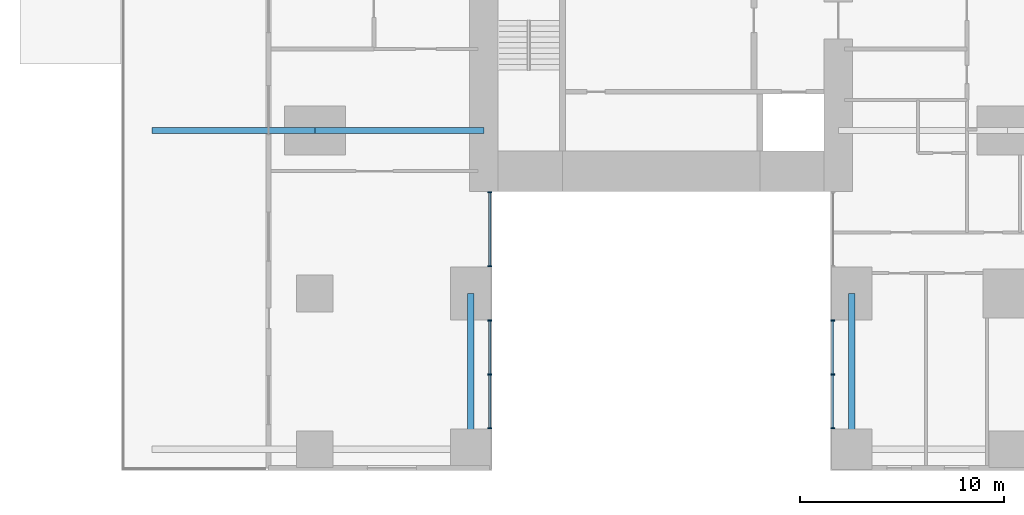
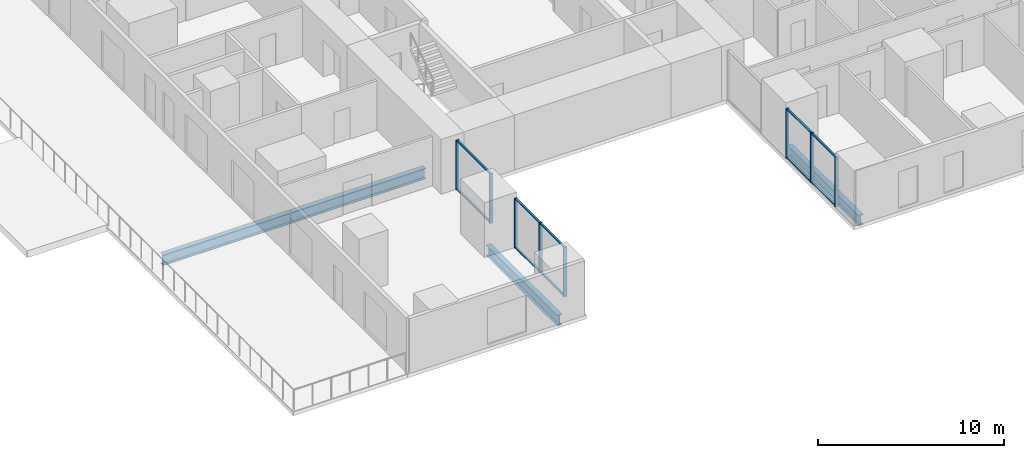
# One storey, part 2 of 15: 18 members, 4 beams, 3 elements without a shape of their own.
"""IFC4 building model written with IfcOpenShell, lengths in metres."""

import ifcopenshell
import ifcopenshell.guid

model = None  # the IFC model being written
_history = None  # IfcOwnerHistory: only IFC2X3 demands one
_inside = {}  # id of a spatial element -> (the spatial element, [elements in it])
_under = {}  # id of a project, library or spatial element -> (it, [spatial elements below it])
_declared = {}  # id of a project -> (the project, [libraries it declares])
_typed = {}  # id of a type object -> (the type object, [elements of that type])
_made_of = {}  # id of a material, layer set ... -> (it, [elements and type objects made of it])


def new_model(schema):
    """Start an empty IFC model of exactly this schema.

    Asked for "IFC4X3", IfcOpenShell would pick the latest addendum, in which some entities
    have other attributes; the version numbers below select the first issue.
    IFC2X3 requires an IfcOwnerHistory on every rooted entity: one is made here for all.
    """
    global model, _history
    if schema == "IFC4X3":
        model = ifcopenshell.file(schema_version=(4, 3, 0, 0))
    else:
        model = ifcopenshell.file(schema=schema)
    _inside.clear()
    _under.clear()
    _declared.clear()
    _typed.clear()
    _made_of.clear()
    _history = None
    if model.schema == "IFC2X3":
        org = make("IfcOrganization", Name="unknown")
        user = make(
            "IfcPersonAndOrganization",
            ThePerson=make("IfcPerson", FamilyName="unknown"),
            TheOrganization=org,
        )
        app = make(
            "IfcApplication",
            ApplicationDeveloper=org,
            Version="unknown",
            ApplicationFullName="unknown",
            ApplicationIdentifier="unknown",
        )
        _history = make(
            "IfcOwnerHistory",
            OwningUser=user,
            OwningApplication=app,
            ChangeAction="ADDED",
            CreationDate=0,
        )
    return model


def make(cls, **values):
    """One entity of the class cls with the attributes given. An attribute that is None is left unset."""
    return model.create_entity(
        cls, **{name: value for name, value in values.items() if value is not None}
    )


def rooted(cls, **values):
    """An entity with a GlobalId (a new one), such as an element, a storey or a relation."""
    return make(cls, GlobalId=ifcopenshell.guid.new(), OwnerHistory=_history, **values)


def si_unit(unit_type, name, prefix=None):
    """IfcSIUnit, for example si_unit("LENGTHUNIT", "METRE", prefix="MILLI")."""
    return make("IfcSIUnit", UnitType=unit_type, Prefix=prefix, Name=name)


def assignment(units):
    """IfcUnitAssignment: the units of a project."""
    return None if units is None else make("IfcUnitAssignment", Units=units)


def point(xyz):
    """IfcCartesianPoint."""
    return None if xyz is None else make("IfcCartesianPoint", Coordinates=xyz)


def direction(xyz):
    """IfcDirection."""
    return None if xyz is None else make("IfcDirection", DirectionRatios=xyz)


def frame(location, z_axis=None, x_axis=None):
    """IfcAxis2Placement3D, a coordinate frame: its origin and axes. An axis left out is left unset."""
    return make(
        "IfcAxis2Placement3D",
        Location=point(location),
        Axis=direction(z_axis),
        RefDirection=direction(x_axis),
    )


def frame_2d(location, x_axis=None):
    """IfcAxis2Placement2D, a coordinate frame in the plane: its origin and x axis."""
    return make(
        "IfcAxis2Placement2D", Location=point(location), RefDirection=direction(x_axis)
    )


def origin():
    """The frame at (0, 0, 0) with its axes left unset."""
    return frame((0.0, 0.0, 0.0))


def origin_2d():
    """The frame at (0, 0) in the plane with its x axis left unset."""
    return frame_2d((0.0, 0.0))


def place(relative_to, where):
    """IfcLocalPlacement: puts the frame where relative to a parent placement (None: the world)."""
    return make(
        "IfcLocalPlacement", PlacementRelTo=relative_to, RelativePlacement=where
    )


def context(
    kind, dimensions, precision=None, world=None, true_north=None, identifier=None
):
    """IfcGeometricRepresentationContext, for example the 3D "Model" context."""
    return make(
        "IfcGeometricRepresentationContext",
        ContextIdentifier=identifier,
        ContextType=kind,
        CoordinateSpaceDimension=dimensions,
        Precision=precision,
        WorldCoordinateSystem=world,
        TrueNorth=true_north,
    )


def subcontext(parent, identifier, kind, view, scale=None):
    """IfcGeometricRepresentationSubContext, for example "Body" below "Model"."""
    return make(
        "IfcGeometricRepresentationSubContext",
        ContextIdentifier=identifier,
        ContextType=kind,
        ParentContext=parent,
        TargetScale=scale,
        TargetView=view,
    )


def project(units=None, contexts=None):
    """IfcProject with its units and contexts."""
    return rooted(
        "IfcProject",
        Name="project",
        RepresentationContexts=contexts,
        UnitsInContext=assignment(units),
    )


def spatial(cls, under=None, at=None, **own):
    """A site, building, storey or space (cls), placed at a placement, below another one or the project."""
    s = rooted(cls, ObjectPlacement=at, **own)
    if under is not None:
        _under.setdefault(under.id(), (under, []))[1].append(s)
    return s


def profile(cls, at=None, kind="AREA", **sizes):
    """A parametric profile (cls). Its sizes go by their IFC names, for example OverallWidth=200.0."""
    return make(cls, ProfileType=kind, Position=at, **sizes)


def rectangle(**sizes):
    """IfcRectangleProfileDef."""
    return profile("IfcRectangleProfileDef", **sizes)


def i_section(**sizes):
    """IfcIShapeProfileDef."""
    return profile("IfcIShapeProfileDef", **sizes)


def extrude(swept, where, along, depth):
    """IfcExtrudedAreaSolid: the profile swept, set in the frame where, extruded along a direction by depth."""
    return make(
        "IfcExtrudedAreaSolid",
        SweptArea=swept,
        Position=where,
        ExtrudedDirection=direction(along),
        Depth=depth,
    )


def shape(context_of_items, identifier, shape_type, items):
    """IfcShapeRepresentation: the items that make up one representation, for example the "Body"."""
    return make(
        "IfcShapeRepresentation",
        ContextOfItems=context_of_items,
        RepresentationIdentifier=identifier,
        RepresentationType=shape_type,
        Items=items,
    )


def material(Name=None, Category=None):
    """IfcMaterial."""
    return make("IfcMaterial", Name=Name, Category=Category)


def layer(
    of_material, thickness, ventilated=None, Name=None, Category=None, Priority=None
):
    """IfcMaterialLayer: one layer of a wall or slab, of a material (None: an air gap)."""
    return make(
        "IfcMaterialLayer",
        Material=of_material,
        LayerThickness=thickness,
        IsVentilated=ventilated,
        Name=Name,
        Category=Category,
        Priority=Priority,
    )


def layer_set(layers, Name=None):
    """IfcMaterialLayerSet."""
    return make("IfcMaterialLayerSet", MaterialLayers=layers, LayerSetName=Name)


def material_profile(
    of_material, cross_section, Name=None, Category=None, Priority=None
):
    """IfcMaterialProfile: a cross section and its material."""
    return make(
        "IfcMaterialProfile",
        Name=Name,
        Material=of_material,
        Profile=cross_section,
        Priority=Priority,
        Category=Category,
    )


def profile_set(profiles, Name=None, composite=None):
    """IfcMaterialProfileSet."""
    return make(
        "IfcMaterialProfileSet",
        Name=Name,
        MaterialProfiles=profiles,
        CompositeProfile=composite,
    )


def made_of(thing, what):
    """Note that an element or type object is made of a material, layer set ...; save() writes the relation."""
    if what is not None:
        _made_of.setdefault(what.id(), (what, []))[1].append(thing)
    return thing


def type_object(cls, material=None, **own):
    """A type object (cls), such as IfcWallType, which elements share."""
    return made_of(rooted(cls, **own), material)


def element(
    cls,
    number,
    at=None,
    inside=None,
    cuts=None,
    type_object=None,
    material=None,
    context=None,
    identifier="Body",
    shape_type=None,
    held_by="IfcProductDefinitionShape",
    body=None,
    shapes=None,
    **own,
):
    """One element of the class cls, such as IfcWall. Its Tag is "e" and its number.

    at: its placement. inside: the storey or other place that contains it. cuts: it is an
    opening in that element (IfcRelVoidsElement). A single representation is given by context,
    identifier, shape_type and body (its items); several are given by shapes. held_by: the class
    of the entity that holds the representations. save() writes the other relations.
    """
    e = rooted(cls, Tag="e%d" % number, ObjectPlacement=at, **own)
    if body is not None:
        shapes = [shape(context, identifier, shape_type, body)]
    if shapes is not None:
        e.Representation = make(held_by, Representations=shapes)
    if inside is not None:
        _inside.setdefault(inside.id(), (inside, []))[1].append(e)
    if cuts is not None:
        rooted(
            "IfcRelVoidsElement", RelatingBuildingElement=cuts, RelatedOpeningElement=e
        )
    if type_object is not None:
        _typed.setdefault(type_object.id(), (type_object, []))[1].append(e)
    return made_of(e, material)


def aggregate(whole, parts):
    """IfcRelAggregates: a whole, such as a stair, and the parts it consists of."""
    return rooted("IfcRelAggregates", RelatingObject=whole, RelatedObjects=parts)


def save(model, path):
    """Write the relations noted so far, then the file.

    IfcRelAggregates (storeys below a building ...), IfcRelContainedInSpatialStructure (elements
    in a storey), IfcRelDefinesByType, IfcRelAssociatesMaterial and IfcRelDeclares: one each for
    every whole, place, type object, material and project.
    """
    for whole, parts in _under.values():
        aggregate(whole, parts)
    for where, things in _inside.values():
        rooted(
            "IfcRelContainedInSpatialStructure",
            RelatedElements=things,
            RelatingStructure=where,
        )
    for kind, things in _typed.values():
        rooted("IfcRelDefinesByType", RelatedObjects=things, RelatingType=kind)
    for what, things in _made_of.values():
        rooted("IfcRelAssociatesMaterial", RelatedObjects=things, RelatingMaterial=what)
    for by, libraries in _declared.values():
        rooted("IfcRelDeclares", RelatingContext=by, RelatedDefinitions=libraries)
    model.write(path)


model = new_model("IFC4")

# Units and contexts
model_context = context("Model", 3, precision=1e-05, world=origin(), true_north=direction((0.0, 1.0)))
body_context = subcontext(model_context, "Body", "Model", "MODEL_VIEW")
ifc_project = project(units=[si_unit("LENGTHUNIT", "METRE"), si_unit("AREAUNIT", "SQUARE_METRE"), si_unit("VOLUMEUNIT", "CUBIC_METRE"), si_unit("PLANEANGLEUNIT", "RADIAN"), si_unit("MASSUNIT", "GRAM", prefix="KILO")], contexts=[model_context])

# Site, building, storey
site_placement = place(None, origin())
site = spatial("IfcSite", under=ifc_project, at=site_placement, CompositionType="ELEMENT")
building_placement = place(site_placement, origin())
building = spatial("IfcBuilding", under=site, at=building_placement, Name="Cleftline Residences", CompositionType="ELEMENT")
storey_placement = place(building_placement, frame((0.0, 0.0, 221.800048828125)))
storey = spatial("IfcBuildingStorey", under=building, at=storey_placement, Name="L58", CompositionType="ELEMENT", Elevation=221.800048828125)

# Beams
ifc_material_1 = material(Name="Steel S355", Category="steel")
ifc_material_profile_1 = material_profile(ifc_material_1, i_section(OverallWidth=0.300048828125, OverallDepth=0.699951171875, WebThickness=0.01708984375, FlangeThickness=0.031982421875, FilletRadius=0.027099609375, at=origin_2d()))
ifc_profile_set_1 = profile_set([ifc_material_profile_1], Name="Steel S355")
beam_type_1 = type_object("IfcBeamType", Name="BEAM HEB 700", PredefinedType="BEAM", material=ifc_profile_set_1)
for number, where, z_axis, x_axis, name in (
    (1, (23.64990234375, 0.35009765625, -0.60009765625), (0.0, 1.0, 0.0), (-1.0, 0.0, 0.0), "Edge beam"),
    (2, (42.35009765625, 0.35009765625, -0.60009765625), (0.0, 1.0, 0.0), (-1.0, 0.0, 0.0), "Edge beam"),
):
    element("IfcBeam", number, at=place(storey_placement, frame(where, z_axis=z_axis, x_axis=x_axis)), inside=storey, type_object=beam_type_1, Name=name, PredefinedType="BEAM", context=body_context, shape_type="SweptSolid", body=[
        extrude(i_section(OverallWidth=0.300048828125, OverallDepth=0.699951171875, WebThickness=0.01708984375, FlangeThickness=0.031982421875, FilletRadius=0.027099609375, at=origin_2d()), origin(), (0.0, 0.0, 1.0), 7.64990234375),
    ])
ifc_material_2 = material(Name="Steel S355", Category="steel")
ifc_material_profile_2 = material_profile(ifc_material_2, i_section(OverallWidth=0.303955078125, OverallDepth=0.716064453125, WebThickness=0.02099609375, FlangeThickness=0.0400390625, FilletRadius=0.027099609375, at=origin_2d()))
ifc_profile_set_2 = profile_set([ifc_material_profile_2], Name="Steel S355")
beam_type_2 = type_object("IfcBeamType", Name="BEAM HEM 700", PredefinedType="BEAM", material=ifc_profile_set_2)
beam_1_placement = place(storey_placement, frame((8.0, 16.0, -0.608154296875), z_axis=(1.0, 0.0, 0.0), x_axis=(0.0, 1.0, 0.0)))
element("IfcBeam", 3, at=beam_1_placement, inside=storey, type_object=beam_type_2, Name="Band beam", PredefinedType="BEAM", context=body_context, shape_type="SweptSolid", body=[
    extrude(i_section(OverallWidth=0.303955078125, OverallDepth=0.716064453125, WebThickness=0.02099609375, FlangeThickness=0.0400390625, FilletRadius=0.027099609375, at=origin_2d()), origin(), (0.0, 0.0, 1.0), 8.0),
])
beam_2_placement = place(storey_placement, frame((16.0, 16.0, -0.608154296875), z_axis=(1.0, 0.0, 0.0), x_axis=(0.0, 1.0, 0.0)))
element("IfcBeam", 4, at=beam_2_placement, inside=storey, type_object=beam_type_2, Name="Band beam", PredefinedType="BEAM", context=body_context, shape_type="SweptSolid", body=[
    extrude(i_section(OverallWidth=0.303955078125, OverallDepth=0.716064453125, WebThickness=0.02099609375, FlangeThickness=0.0400390625, FilletRadius=0.027099609375, at=origin_2d()), origin(), (0.0, 0.0, 1.0), 8.300048828125),
])

# Curtain wall, members
ifc_material_3 = material(Name="Aluminium framed curtain wall", Category="aluminium")
ifc_layer = layer(ifc_material_3, 0.199951171875)
ifc_layer_set = layer_set([ifc_layer], Name="CW1 CLEFT GLAZING")
curtain_wall_type = type_object("IfcCurtainWallType", Name="CW1 CLEFT GLAZING", PredefinedType="NOTDEFINED", material=ifc_layer_set)
curtain_wall_1_placement = place(storey_placement, origin())
curtain_wall_1 = element("IfcCurtainWall", 5, at=curtain_wall_1_placement, inside=storey, type_object=curtain_wall_type, Name="Curtain wall CW1", PredefinedType="NOTDEFINED")
ifc_material_4 = material(Name="Aluminium mullion", Category="aluminium")
ifc_material_profile_3 = material_profile(ifc_material_4, rectangle(XDim=0.199951171875, YDim=0.06005859375, at=origin_2d()))
ifc_profile_set_3 = profile_set([ifc_material_profile_3], Name="Aluminium mullion")
member_type_1 = type_object("IfcMemberType", Name="CW1 MULLION", PredefinedType="MULLION", material=ifc_profile_set_3)
member_1_placement = place(storey_placement, frame((24.574951171875, 1.3798828125, 0.0), z_axis=(0.0, 0.0, 1.0), x_axis=(-1.0, 0.0, 0.0)))
member_1 = element("IfcMember", 6, at=member_1_placement, type_object=member_type_1, Name="CW1 mullion 1", PredefinedType="MULLION", context=body_context, shape_type="SweptSolid", body=[
    extrude(rectangle(XDim=0.199951171875, YDim=0.06005859375, at=origin_2d()), origin(), (0.0, 0.0, 1.0), 3.25),
])
member_2_placement = place(storey_placement, frame((24.574951171875, 4.02490234375, 0.0), z_axis=(0.0, 0.0, 1.0), x_axis=(-1.0, 0.0, 0.0)))
member_2 = element("IfcMember", 7, at=member_2_placement, type_object=member_type_1, Name="CW1 mullion 2", PredefinedType="MULLION", context=body_context, shape_type="SweptSolid", body=[
    extrude(rectangle(XDim=0.199951171875, YDim=0.06005859375, at=origin_2d()), origin(), (0.0, 0.0, 1.0), 3.25),
])
member_3_placement = place(storey_placement, frame((24.574951171875, 6.669921875, 0.0), z_axis=(0.0, 0.0, 1.0), x_axis=(-1.0, 0.0, 0.0)))
member_3 = element("IfcMember", 8, at=member_3_placement, type_object=member_type_1, Name="CW1 mullion 3", PredefinedType="MULLION", context=body_context, shape_type="SweptSolid", body=[
    extrude(rectangle(XDim=0.199951171875, YDim=0.06005859375, at=origin_2d()), origin(), (0.0, 0.0, 1.0), 3.25),
])

curtain_wall_2_placement = place(storey_placement, origin())
curtain_wall_2 = element("IfcCurtainWall", 9, at=curtain_wall_2_placement, inside=storey, type_object=curtain_wall_type, Name="Curtain wall CW1", PredefinedType="NOTDEFINED")
member_4_placement = place(storey_placement, frame((24.574951171875, 9.330078125, 0.0), z_axis=(0.0, 0.0, 1.0), x_axis=(-1.0, 0.0, 0.0)))
member_4 = element("IfcMember", 10, at=member_4_placement, type_object=member_type_1, Name="CW1 mullion 1", PredefinedType="MULLION", context=body_context, shape_type="SweptSolid", body=[
    extrude(rectangle(XDim=0.199951171875, YDim=0.06005859375, at=origin_2d()), origin(), (0.0, 0.0, 1.0), 3.25),
])
member_5_placement = place(storey_placement, frame((24.574951171875, 12.969970703125, 0.0), z_axis=(0.0, 0.0, 1.0), x_axis=(-1.0, 0.0, 0.0)))
member_5 = element("IfcMember", 11, at=member_5_placement, type_object=member_type_1, Name="CW1 mullion 2", PredefinedType="MULLION", context=body_context, shape_type="SweptSolid", body=[
    extrude(rectangle(XDim=0.199951171875, YDim=0.06005859375, at=origin_2d()), origin(), (0.0, 0.0, 1.0), 3.25),
])

curtain_wall_3_placement = place(storey_placement, origin())
curtain_wall_3 = element("IfcCurtainWall", 12, at=curtain_wall_3_placement, inside=storey, type_object=curtain_wall_type, Name="Curtain wall CW1", PredefinedType="NOTDEFINED")
member_6_placement = place(storey_placement, frame((41.425048828125, 6.669921875, 0.0), z_axis=(0.0, 0.0, 1.0), x_axis=(1.0, 0.0, 0.0)))
member_6 = element("IfcMember", 13, at=member_6_placement, type_object=member_type_1, Name="CW1 mullion 1", PredefinedType="MULLION", context=body_context, shape_type="SweptSolid", body=[
    extrude(rectangle(XDim=0.199951171875, YDim=0.06005859375, at=origin_2d()), origin(), (0.0, 0.0, 1.0), 3.25),
])
member_7_placement = place(storey_placement, frame((41.425048828125, 4.02490234375, 0.0), z_axis=(0.0, 0.0, 1.0), x_axis=(1.0, 0.0, 0.0)))
member_7 = element("IfcMember", 14, at=member_7_placement, type_object=member_type_1, Name="CW1 mullion 2", PredefinedType="MULLION", context=body_context, shape_type="SweptSolid", body=[
    extrude(rectangle(XDim=0.199951171875, YDim=0.06005859375, at=origin_2d()), origin(), (0.0, 0.0, 1.0), 3.25),
])
member_8_placement = place(storey_placement, frame((41.425048828125, 1.3798828125, 0.0), z_axis=(0.0, 0.0, 1.0), x_axis=(1.0, 0.0, 0.0)))
member_8 = element("IfcMember", 15, at=member_8_placement, type_object=member_type_1, Name="CW1 mullion 3", PredefinedType="MULLION", context=body_context, shape_type="SweptSolid", body=[
    extrude(rectangle(XDim=0.199951171875, YDim=0.06005859375, at=origin_2d()), origin(), (0.0, 0.0, 1.0), 3.25),
])

# Member
ifc_material_5 = material(Name="Aluminium transom", Category="aluminium")
ifc_material_profile_4 = material_profile(ifc_material_5, rectangle(XDim=0.1201171875, YDim=0.06005859375, at=origin_2d()))
ifc_profile_set_4 = profile_set([ifc_material_profile_4], Name="Aluminium transom")
member_type_2 = type_object("IfcMemberType", Name="CW1 TRANSOM", PredefinedType="USERDEFINED", material=ifc_profile_set_4)
member_9_placement = place(storey_placement, frame((24.574951171875, 1.409912109375, 0.030029296875), z_axis=(0.0, 1.0, 0.0), x_axis=(-1.0, 0.0, 0.0)))
member_9 = element("IfcMember", 16, at=member_9_placement, type_object=member_type_2, Name="CW1 transom 1.1", ObjectType="TRANSOM", PredefinedType="USERDEFINED", context=body_context, shape_type="SweptSolid", body=[
    extrude(rectangle(XDim=0.1201171875, YDim=0.06005859375, at=origin_2d()), origin(), (0.0, 0.0, 1.0), 2.585205078125),
])

member_10_placement = place(storey_placement, frame((24.574951171875, 1.409912109375, 3.219970703125), z_axis=(0.0, 1.0, 0.0), x_axis=(-1.0, 0.0, 0.0)))
member_10 = element("IfcMember", 17, at=member_10_placement, type_object=member_type_2, Name="CW1 transom 1.2", ObjectType="TRANSOM", PredefinedType="USERDEFINED", context=body_context, shape_type="SweptSolid", body=[
    extrude(rectangle(XDim=0.1201171875, YDim=0.06005859375, at=origin_2d()), origin(), (0.0, 0.0, 1.0), 2.585205078125),
])

member_11_placement = place(storey_placement, frame((24.574951171875, 4.054931640625, 0.030029296875), z_axis=(0.0, 1.0, 0.0), x_axis=(-1.0, 0.0, 0.0)))
member_11 = element("IfcMember", 18, at=member_11_placement, type_object=member_type_2, Name="CW1 transom 2.1", ObjectType="TRANSOM", PredefinedType="USERDEFINED", context=body_context, shape_type="SweptSolid", body=[
    extrude(rectangle(XDim=0.1201171875, YDim=0.06005859375, at=origin_2d()), origin(), (0.0, 0.0, 1.0), 2.5849609375),
])

member_12_placement = place(storey_placement, frame((24.574951171875, 4.054931640625, 3.219970703125), z_axis=(0.0, 1.0, 0.0), x_axis=(-1.0, 0.0, 0.0)))
member_12 = element("IfcMember", 19, at=member_12_placement, type_object=member_type_2, Name="CW1 transom 2.2", ObjectType="TRANSOM", PredefinedType="USERDEFINED", context=body_context, shape_type="SweptSolid", body=[
    extrude(rectangle(XDim=0.1201171875, YDim=0.06005859375, at=origin_2d()), origin(), (0.0, 0.0, 1.0), 2.5849609375),
])

aggregate(curtain_wall_1, [member_1, member_2, member_3, member_9, member_10, member_11, member_12])

member_13_placement = place(storey_placement, frame((24.574951171875, 9.360107421875, 0.030029296875), z_axis=(0.0, 1.0, 0.0), x_axis=(-1.0, 0.0, 0.0)))
member_13 = element("IfcMember", 20, at=member_13_placement, type_object=member_type_2, Name="CW1 transom 1.1", ObjectType="TRANSOM", PredefinedType="USERDEFINED", context=body_context, shape_type="SweptSolid", body=[
    extrude(rectangle(XDim=0.1201171875, YDim=0.06005859375, at=origin_2d()), origin(), (0.0, 0.0, 1.0), 3.579833984375),
])

member_14_placement = place(storey_placement, frame((24.574951171875, 9.360107421875, 3.219970703125), z_axis=(0.0, 1.0, 0.0), x_axis=(-1.0, 0.0, 0.0)))
member_14 = element("IfcMember", 21, at=member_14_placement, type_object=member_type_2, Name="CW1 transom 1.2", ObjectType="TRANSOM", PredefinedType="USERDEFINED", context=body_context, shape_type="SweptSolid", body=[
    extrude(rectangle(XDim=0.1201171875, YDim=0.06005859375, at=origin_2d()), origin(), (0.0, 0.0, 1.0), 3.579833984375),
])

aggregate(curtain_wall_2, [member_4, member_5, member_13, member_14])

member_15_placement = place(storey_placement, frame((41.425048828125, 6.639892578125, 0.030029296875), z_axis=(0.0, -1.0, 0.0), x_axis=(1.0, 0.0, 0.0)))
member_15 = element("IfcMember", 22, at=member_15_placement, type_object=member_type_2, Name="CW1 transom 1.1", ObjectType="TRANSOM", PredefinedType="USERDEFINED", context=body_context, shape_type="SweptSolid", body=[
    extrude(rectangle(XDim=0.1201171875, YDim=0.06005859375, at=origin_2d()), origin(), (0.0, 0.0, 1.0), 2.5849609375),
])

member_16_placement = place(storey_placement, frame((41.425048828125, 6.639892578125, 3.219970703125), z_axis=(0.0, -1.0, 0.0), x_axis=(1.0, 0.0, 0.0)))
member_16 = element("IfcMember", 23, at=member_16_placement, type_object=member_type_2, Name="CW1 transom 1.2", ObjectType="TRANSOM", PredefinedType="USERDEFINED", context=body_context, shape_type="SweptSolid", body=[
    extrude(rectangle(XDim=0.1201171875, YDim=0.06005859375, at=origin_2d()), origin(), (0.0, 0.0, 1.0), 2.5849609375),
])

member_17_placement = place(storey_placement, frame((41.425048828125, 3.9951171875, 0.030029296875), z_axis=(0.0, -1.0, 0.0), x_axis=(1.0, 0.0, 0.0)))
member_17 = element("IfcMember", 24, at=member_17_placement, type_object=member_type_2, Name="CW1 transom 2.1", ObjectType="TRANSOM", PredefinedType="USERDEFINED", context=body_context, shape_type="SweptSolid", body=[
    extrude(rectangle(XDim=0.1201171875, YDim=0.06005859375, at=origin_2d()), origin(), (0.0, 0.0, 1.0), 2.585205078125),
])

member_18_placement = place(storey_placement, frame((41.425048828125, 3.9951171875, 3.219970703125), z_axis=(0.0, -1.0, 0.0), x_axis=(1.0, 0.0, 0.0)))
member_18 = element("IfcMember", 25, at=member_18_placement, type_object=member_type_2, Name="CW1 transom 2.2", ObjectType="TRANSOM", PredefinedType="USERDEFINED", context=body_context, shape_type="SweptSolid", body=[
    extrude(rectangle(XDim=0.1201171875, YDim=0.06005859375, at=origin_2d()), origin(), (0.0, 0.0, 1.0), 2.585205078125),
])

aggregate(curtain_wall_3, [member_6, member_7, member_8, member_15, member_16, member_17, member_18])

save(model, "model.ifc")
